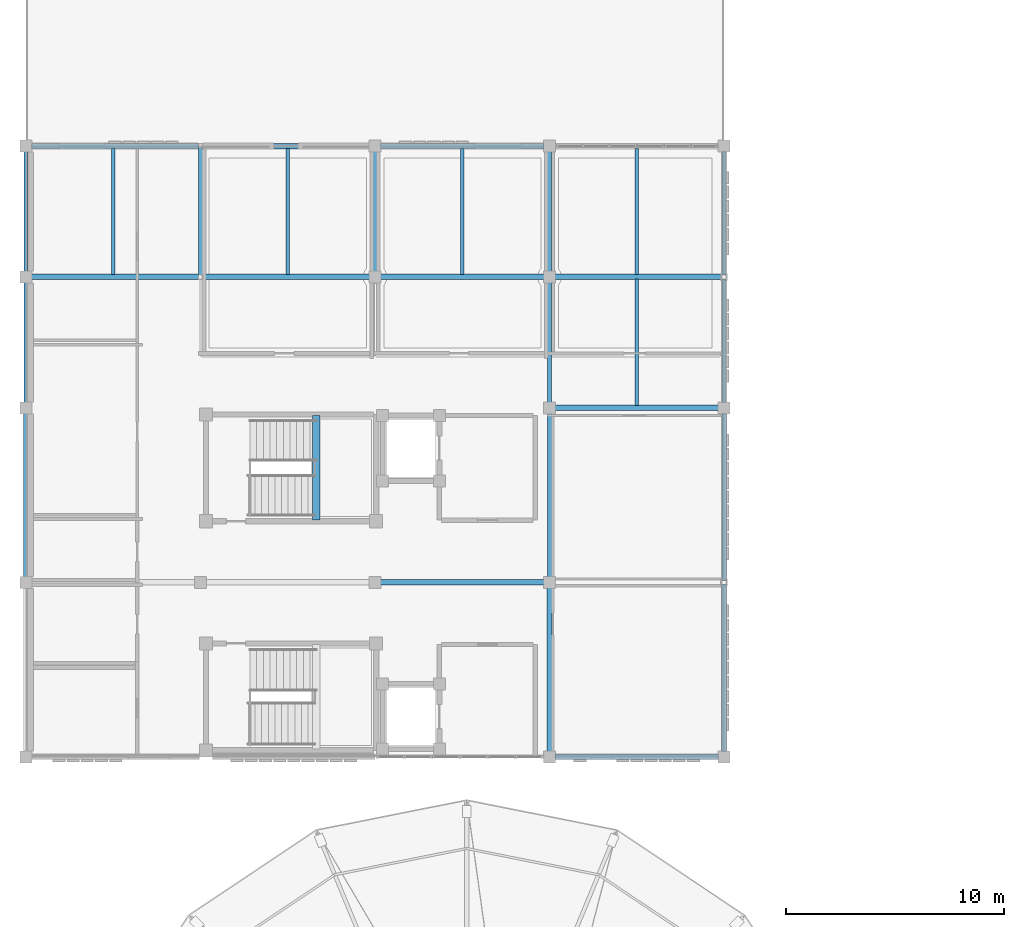
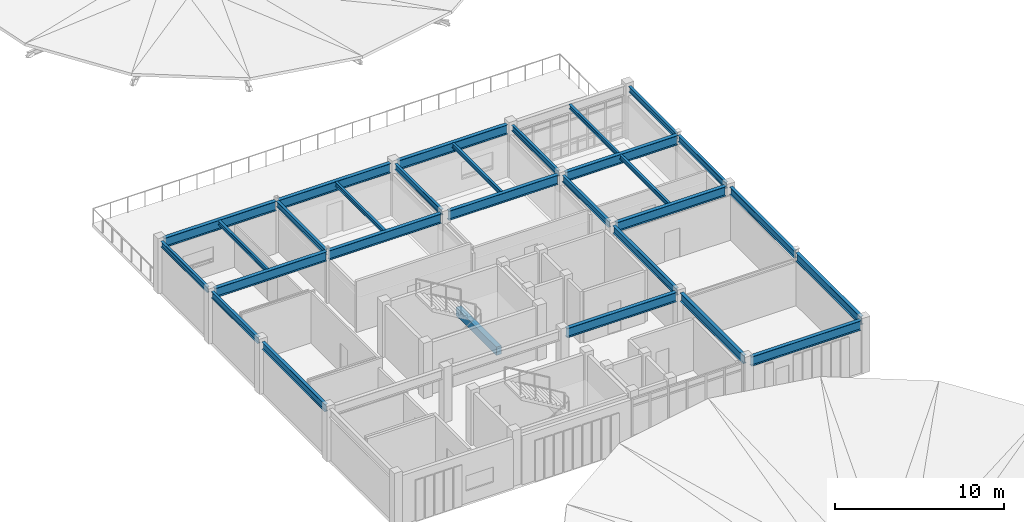
# One storey, part 7 of 31: 29 beams.
"""IFC4 building model written with IfcOpenShell, lengths in metres."""

from ifc_helpers import new_model, si_unit, direction, frame, origin, origin_2d, place, context, subcontext, project, spatial, rectangle, i_section, extrude, material, material_profile, profile_set, type_object, element, save


model = new_model("IFC4")

# Units and contexts
model_context = context("Model", 3, precision=1e-05, world=origin(), true_north=direction((0.0, 1.0)))
body_context = subcontext(model_context, "Body", "Model", "MODEL_VIEW")
ifc_project = project(units=[si_unit("LENGTHUNIT", "METRE"), si_unit("AREAUNIT", "SQUARE_METRE"), si_unit("VOLUMEUNIT", "CUBIC_METRE"), si_unit("PLANEANGLEUNIT", "RADIAN"), si_unit("MASSUNIT", "GRAM", prefix="KILO")], contexts=[model_context])

# Site, building, storey
site_placement = place(None, origin())
site = spatial("IfcSite", under=ifc_project, at=site_placement, CompositionType="ELEMENT")
building_placement = place(site_placement, origin())
building = spatial("IfcBuilding", under=site, at=building_placement, Name="Celadon Cloister-Ring School", CompositionType="ELEMENT")
storey_placement = place(building_placement, frame((0.0, 0.0, 16.5)))
storey = spatial("IfcBuildingStorey", under=building, at=storey_placement, Name="L04", CompositionType="ELEMENT", Elevation=16.5)

# Beams
ifc_material_1 = material(Name="Concrete C35/45", Category="concrete")
ifc_material_profile_1 = material_profile(ifc_material_1, rectangle(XDim=0.35009765625, YDim=0.60009765625, at=origin_2d()), Name="RC350X600")
ifc_profile_set_1 = profile_set([ifc_material_profile_1], Name="Concrete C35/45")
beam_type_1 = type_object("IfcBeamType", Name="BT-02", PredefinedType="BEAM", material=ifc_profile_set_1)
beam_1_placement = place(storey_placement, frame((13.300048828125, 50.85009765625, 1.39990234375), z_axis=(0.0, 1.0, 0.0), x_axis=(-1.0, 0.0, 0.0)))
element("IfcBeam", 1, at=beam_1_placement, inside=storey, type_object=beam_type_1, Name="Stair Landing Beam 1730", PredefinedType="BEAM", context=body_context, shape_type="SweptSolid", body=[
    extrude(rectangle(XDim=0.35009765625, YDim=0.60009765625, at=origin_2d()), origin(), (0.0, 0.0, 1.0), 4.7998046875),
])
ifc_material_2 = material(Name="Structural steel S355JR", Category="steel")
ifc_material_profile_2 = material_profile(ifc_material_2, i_section(OverallWidth=0.22802734375, OverallDepth=0.60302734375, WebThickness=0.010498046875, FlangeThickness=0.014892578125, at=origin_2d()), Name="W610X101")
ifc_profile_set_2 = profile_set([ifc_material_profile_2], Name="Structural steel S355JR")
beam_type_2 = type_object("IfcBeamType", Name="BT-03", PredefinedType="BEAM", material=ifc_profile_set_2)
beam_2_placement = place(storey_placement, frame((24.0, 40.25, 3.458984375), z_axis=(0.0, 1.0, 0.0), x_axis=(-1.0, 0.0, 0.0)))
element("IfcBeam", 2, at=beam_2_placement, inside=storey, type_object=beam_type_2, Name="Beam 1667", PredefinedType="BEAM", context=body_context, shape_type="SweptSolid", body=[
    extrude(i_section(OverallWidth=0.22802734375, OverallDepth=0.60302734375, WebThickness=0.010498046875, FlangeThickness=0.014892578125, at=origin_2d()), origin(), (0.0, 0.0, 1.0), 7.5),
])
beam_3_placement = place(storey_placement, frame((32.0, 40.25, 3.458984375), z_axis=(0.0, 1.0, 0.0), x_axis=(-1.0, 0.0, 0.0)))
element("IfcBeam", 3, at=beam_3_placement, inside=storey, type_object=beam_type_2, Name="Beam 1671", PredefinedType="BEAM", context=body_context, shape_type="SweptSolid", body=[
    extrude(i_section(OverallWidth=0.22802734375, OverallDepth=0.60302734375, WebThickness=0.010498046875, FlangeThickness=0.014892578125, at=origin_2d()), origin(), (0.0, 0.0, 1.0), 7.6650390625),
])
ifc_material_3 = material(Name="Structural steel S355JR", Category="steel")
ifc_material_profile_3 = material_profile(ifc_material_3, i_section(OverallWidth=0.208984375, OverallDepth=0.529052734375, WebThickness=0.009765625, FlangeThickness=0.01318359375, at=origin_2d()), Name="W530X74")
ifc_profile_set_3 = profile_set([ifc_material_profile_3], Name="Structural steel S355JR")
beam_type_3 = type_object("IfcBeamType", Name="BT-04", PredefinedType="BEAM", material=ifc_profile_set_3)
for number, where, z_axis, x_axis, name in (
    (4, (0.0, 48.25, 3.4951171875), (0.0, 1.0, 0.0), (-1.0, 0.0, 0.0), "Beam 1662"),
    (5, (24.0, 48.25, 3.4951171875), (0.0, 1.0, 0.0), (-1.0, 0.0, 0.0), "Beam 1668"),
):
    element("IfcBeam", number, at=place(storey_placement, frame(where, z_axis=z_axis, x_axis=x_axis)), inside=storey, type_object=beam_type_3, Name=name, PredefinedType="BEAM", context=body_context, shape_type="SweptSolid", body=[
        extrude(i_section(OverallWidth=0.208984375, OverallDepth=0.529052734375, WebThickness=0.009765625, FlangeThickness=0.01318359375, at=origin_2d()), origin(), (0.0, 0.0, 1.0), 7.5),
    ])
beam_4_placement = place(storey_placement, frame((32.0, 48.0849609375, 3.4951171875), z_axis=(0.0, 1.0, 0.0), x_axis=(-1.0, 0.0, 0.0)))
element("IfcBeam", 6, at=beam_4_placement, inside=storey, type_object=beam_type_3, Name="Beam 1672", PredefinedType="BEAM", context=body_context, shape_type="SweptSolid", body=[
    extrude(i_section(OverallWidth=0.208984375, OverallDepth=0.529052734375, WebThickness=0.009765625, FlangeThickness=0.01318359375, at=origin_2d()), origin(), (0.0, 0.0, 1.0), 7.6650390625),
])
ifc_material_4 = material(Name="Structural steel S355JR", Category="steel")
ifc_material_profile_4 = material_profile(ifc_material_4, i_section(OverallWidth=0.18994140625, OverallDepth=0.45703125, WebThickness=0.009033203125, FlangeThickness=0.014404296875, at=origin_2d()), Name="W460X74")
ifc_profile_set_4 = profile_set([ifc_material_profile_4], Name="Structural steel S355JR")
beam_type_4 = type_object("IfcBeamType", Name="BT-05", PredefinedType="BEAM", material=ifc_profile_set_4)
for number, where, z_axis, x_axis, name in (
    (7, (0.0, 56.25, 3.531982421875), (0.0, 1.0, 0.0), (-1.0, 0.0, 0.0), "Beam 1663"),
    (8, (24.0, 56.25, 3.531982421875), (0.0, 1.0, 0.0), (-1.0, 0.0, 0.0), "Beam 1669"),
):
    element("IfcBeam", number, at=place(storey_placement, frame(where, z_axis=z_axis, x_axis=x_axis)), inside=storey, type_object=beam_type_4, Name=name, PredefinedType="BEAM", context=body_context, shape_type="SweptSolid", body=[
        extrude(i_section(OverallWidth=0.18994140625, OverallDepth=0.45703125, WebThickness=0.009033203125, FlangeThickness=0.014404296875, at=origin_2d()), origin(), (0.0, 0.0, 1.0), 5.5),
    ])
beam_5_placement = place(storey_placement, frame((32.0, 56.25, 3.531982421875), z_axis=(0.0, 1.0, 0.0), x_axis=(-1.0, 0.0, 0.0)))
element("IfcBeam", 9, at=beam_5_placement, inside=storey, type_object=beam_type_4, Name="Beam 1673", PredefinedType="BEAM", context=body_context, shape_type="SweptSolid", body=[
    extrude(i_section(OverallWidth=0.18994140625, OverallDepth=0.45703125, WebThickness=0.009033203125, FlangeThickness=0.014404296875, at=origin_2d()), origin(), (0.0, 0.0, 1.0), 5.6650390625),
])
ifc_material_5 = material(Name="Structural steel S355JR", Category="steel")
ifc_material_profile_5 = material_profile(ifc_material_5, i_section(OverallWidth=0.177978515625, OverallDepth=0.406982421875, WebThickness=0.0078125, FlangeThickness=0.0126953125, at=origin_2d()), Name="W410X60")
ifc_profile_set_5 = profile_set([ifc_material_profile_5], Name="Structural steel S355JR")
beam_type_5 = type_object("IfcBeamType", Name="BT-06", PredefinedType="BEAM", material=ifc_profile_set_5)
beam_6_placement = place(storey_placement, frame((0.0, 62.25, 3.556884765625), z_axis=(0.0, 1.0, 0.0), x_axis=(-1.0, 0.0, 0.0)))
element("IfcBeam", 10, at=beam_6_placement, inside=storey, type_object=beam_type_5, Name="Beam 1664", PredefinedType="BEAM", context=body_context, shape_type="SweptSolid", body=[
    extrude(i_section(OverallWidth=0.177978515625, OverallDepth=0.406982421875, WebThickness=0.0078125, FlangeThickness=0.0126953125, at=origin_2d()), origin(), (0.0, 0.0, 1.0), 5.5),
])
beam_7_placement = place(storey_placement, frame((8.0, 62.0849609375, 3.556884765625), z_axis=(0.0, 1.0, 0.0), x_axis=(-1.0, 0.0, 0.0)))
element("IfcBeam", 11, at=beam_7_placement, inside=storey, type_object=beam_type_5, Name="Beam 1665", PredefinedType="BEAM", context=body_context, shape_type="SweptSolid", body=[
    extrude(i_section(OverallWidth=0.177978515625, OverallDepth=0.406982421875, WebThickness=0.0078125, FlangeThickness=0.0126953125, at=origin_2d()), origin(), (0.0, 0.0, 1.0), 5.830078125),
])
for number, where, z_axis, x_axis, name in (
    (12, (16.0, 62.25, 3.556884765625), (0.0, 1.0, 0.0), (-1.0, 0.0, 0.0), "Beam 1666"),
    (13, (24.0, 62.25, 3.556884765625), (0.0, 1.0, 0.0), (-1.0, 0.0, 0.0), "Beam 1670"),
):
    element("IfcBeam", number, at=place(storey_placement, frame(where, z_axis=z_axis, x_axis=x_axis)), inside=storey, type_object=beam_type_5, Name=name, PredefinedType="BEAM", context=body_context, shape_type="SweptSolid", body=[
        extrude(i_section(OverallWidth=0.177978515625, OverallDepth=0.406982421875, WebThickness=0.0078125, FlangeThickness=0.0126953125, at=origin_2d()), origin(), (0.0, 0.0, 1.0), 5.5),
    ])
beam_8_placement = place(storey_placement, frame((32.0, 62.0849609375, 3.556884765625), z_axis=(0.0, 1.0, 0.0), x_axis=(-1.0, 0.0, 0.0)))
element("IfcBeam", 14, at=beam_8_placement, inside=storey, type_object=beam_type_5, Name="Beam 1674", PredefinedType="BEAM", context=body_context, shape_type="SweptSolid", body=[
    extrude(i_section(OverallWidth=0.177978515625, OverallDepth=0.406982421875, WebThickness=0.0078125, FlangeThickness=0.0126953125, at=origin_2d()), origin(), (0.0, 0.0, 1.0), 5.6650390625),
])
ifc_material_6 = material(Name="Structural steel S355JR", Category="steel")
ifc_material_profile_6 = material_profile(ifc_material_6, i_section(OverallWidth=0.25390625, OverallDepth=0.68408203125, WebThickness=0.012451171875, FlangeThickness=0.018798828125, at=origin_2d()), Name="W690X140")
ifc_profile_set_6 = profile_set([ifc_material_profile_6], Name="Structural steel S355JR")
beam_type_6 = type_object("IfcBeamType", Name="GT-04", PredefinedType="USERDEFINED", material=ifc_profile_set_6)
for number, where, z_axis, x_axis, name in (
    (15, (24.25, 40.0, 3.41796875), (1.0, 0.0, 0.0), (0.0, 1.0, 0.0), "Beam 1648"),
    (16, (16.25, 48.0, 3.41796875), (1.0, 0.0, 0.0), (0.0, 1.0, 0.0), "Beam 1651"),
    (17, (24.25, 56.0, 3.41796875), (1.0, 0.0, 0.0), (0.0, 1.0, 0.0), "Beam 1652"),
):
    element("IfcBeam", number, at=place(storey_placement, frame(where, z_axis=z_axis, x_axis=x_axis)), inside=storey, type_object=beam_type_6, Name=name, ObjectType="GIRDER", PredefinedType="USERDEFINED", context=body_context, shape_type="SweptSolid", body=[
        extrude(i_section(OverallWidth=0.25390625, OverallDepth=0.68408203125, WebThickness=0.012451171875, FlangeThickness=0.018798828125, at=origin_2d()), origin(), (0.0, 0.0, 1.0), 7.5),
    ])
for number, where, z_axis, x_axis, name in (
    (18, (0.25, 62.0, 3.41796875), (1.0, 0.0, 0.0), (0.0, 1.0, 0.0), "Beam 1653"),
    (19, (8.0849609375, 62.0, 3.41796875), (1.0, 0.0, 0.0), (0.0, 1.0, 0.0), "Beam 1654"),
):
    element("IfcBeam", number, at=place(storey_placement, frame(where, z_axis=z_axis, x_axis=x_axis)), inside=storey, type_object=beam_type_6, Name=name, ObjectType="GIRDER", PredefinedType="USERDEFINED", context=body_context, shape_type="SweptSolid", body=[
        extrude(i_section(OverallWidth=0.25390625, OverallDepth=0.68408203125, WebThickness=0.012451171875, FlangeThickness=0.018798828125, at=origin_2d()), origin(), (0.0, 0.0, 1.0), 7.6650390625),
    ])
beam_9_placement = place(storey_placement, frame((16.25, 62.0, 3.41796875), z_axis=(1.0, 0.0, 0.0), x_axis=(0.0, 1.0, 0.0)))
element("IfcBeam", 20, at=beam_9_placement, inside=storey, type_object=beam_type_6, Name="Beam 1655", ObjectType="GIRDER", PredefinedType="USERDEFINED", context=body_context, shape_type="SweptSolid", body=[
    extrude(i_section(OverallWidth=0.25390625, OverallDepth=0.68408203125, WebThickness=0.012451171875, FlangeThickness=0.018798828125, at=origin_2d()), origin(), (0.0, 0.0, 1.0), 7.5),
])
for number, where, z_axis, x_axis, name in (
    (21, (24.25, 62.0, 3.41796875), (1.0, 0.0, 0.0), (0.0, 1.0, 0.0), "Beam 1656"),
    (22, (0.25, 68.0, 3.41796875), (1.0, 0.0, 0.0), (0.0, 1.0, 0.0), "Beam 1657"),
    (23, (8.0849609375, 68.0, 3.41796875), (1.0, 0.0, 0.0), (0.0, 1.0, 0.0), "Beam 1658"),
):
    element("IfcBeam", number, at=place(storey_placement, frame(where, z_axis=z_axis, x_axis=x_axis)), inside=storey, type_object=beam_type_6, Name=name, ObjectType="GIRDER", PredefinedType="USERDEFINED", context=body_context, shape_type="SweptSolid", body=[
        extrude(i_section(OverallWidth=0.25390625, OverallDepth=0.68408203125, WebThickness=0.012451171875, FlangeThickness=0.018798828125, at=origin_2d()), origin(), (0.0, 0.0, 1.0), 7.6650390625),
    ])
beam_10_placement = place(storey_placement, frame((16.25, 68.0, 3.41796875), z_axis=(1.0, 0.0, 0.0), x_axis=(0.0, 1.0, 0.0)))
element("IfcBeam", 24, at=beam_10_placement, inside=storey, type_object=beam_type_6, Name="Beam 1659", ObjectType="GIRDER", PredefinedType="USERDEFINED", context=body_context, shape_type="SweptSolid", body=[
    extrude(i_section(OverallWidth=0.25390625, OverallDepth=0.68408203125, WebThickness=0.012451171875, FlangeThickness=0.018798828125, at=origin_2d()), origin(), (0.0, 0.0, 1.0), 7.5),
])
ifc_material_7 = material(Name="Structural steel S355JR", Category="steel")
ifc_material_profile_7 = material_profile(ifc_material_7, i_section(OverallWidth=0.1650390625, OverallDepth=0.31005859375, WebThickness=0.005859375, FlangeThickness=0.009765625, at=origin_2d()), Name="W310X39")
ifc_profile_set_7 = profile_set([ifc_material_profile_7], Name="Structural steel S355JR")
beam_type_7 = type_object("IfcBeamType", Name="JT-03", PredefinedType="JOIST", material=ifc_profile_set_7)
for number, where, z_axis, x_axis, name in (
    (25, (4.0, 62.10205078125, 3.60498046875), (0.0, 1.0, 0.0), (-1.0, 0.0, 0.0), "Beam 1675"),
    (26, (12.0, 62.10205078125, 3.60498046875), (0.0, 1.0, 0.0), (-1.0, 0.0, 0.0), "Beam 1676"),
    (27, (20.0, 62.10205078125, 3.60498046875), (0.0, 1.0, 0.0), (-1.0, 0.0, 0.0), "Beam 1677"),
    (28, (28.0, 56.10205078125, 3.60498046875), (0.0, 1.0, 0.0), (-1.0, 0.0, 0.0), "Beam 1678"),
    (29, (28.0, 62.10205078125, 3.60498046875), (0.0, 1.0, 0.0), (-1.0, 0.0, 0.0), "Beam 1679"),
):
    element("IfcBeam", number, at=place(storey_placement, frame(where, z_axis=z_axis, x_axis=x_axis)), inside=storey, type_object=beam_type_7, Name=name, PredefinedType="JOIST", context=body_context, shape_type="SweptSolid", body=[
        extrude(i_section(OverallWidth=0.1650390625, OverallDepth=0.31005859375, WebThickness=0.005859375, FlangeThickness=0.009765625, at=origin_2d()), origin(), (0.0, 0.0, 1.0), 5.7958984375),
    ])

save(model, "model.ifc")
